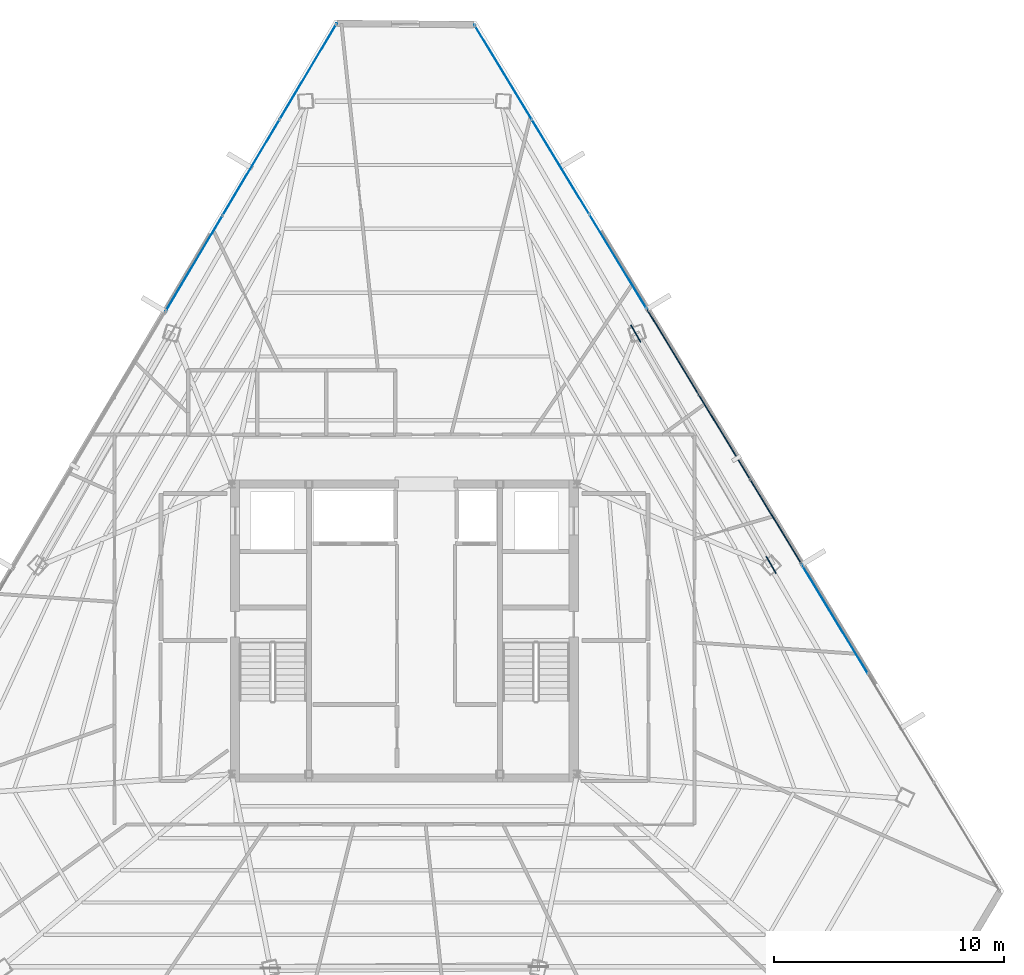
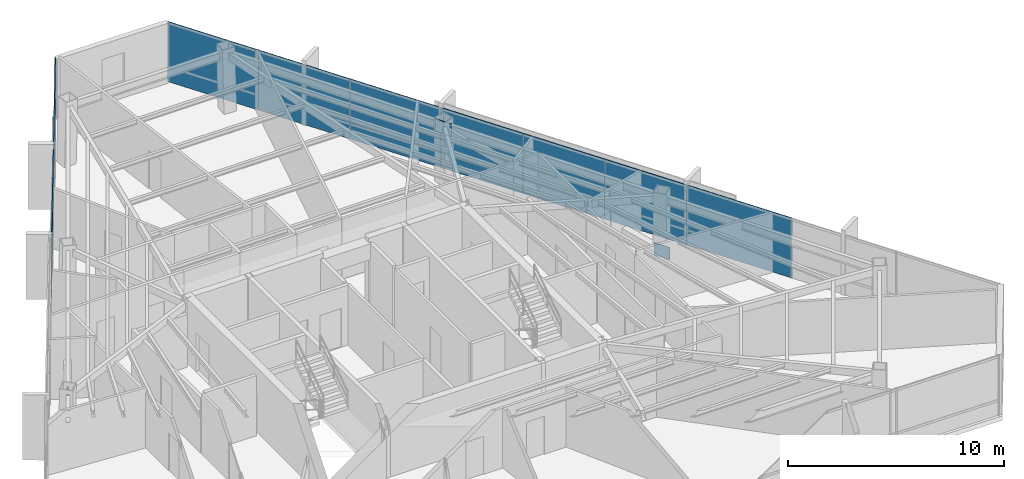
# One storey, part 39 of 46: 12 plates, 4 elements without a shape of their own.
"""IFC4 building model written with IfcOpenShell, lengths in metres."""

import ifcopenshell
import ifcopenshell.guid

model = None  # the IFC model being written
_history = None  # IfcOwnerHistory: only IFC2X3 demands one
_inside = {}  # id of a spatial element -> (the spatial element, [elements in it])
_under = {}  # id of a project, library or spatial element -> (it, [spatial elements below it])
_declared = {}  # id of a project -> (the project, [libraries it declares])
_typed = {}  # id of a type object -> (the type object, [elements of that type])
_made_of = {}  # id of a material, layer set ... -> (it, [elements and type objects made of it])


def new_model(schema):
    """Start an empty IFC model of exactly this schema.

    Asked for "IFC4X3", IfcOpenShell would pick the latest addendum, in which some entities
    have other attributes; the version numbers below select the first issue.
    IFC2X3 requires an IfcOwnerHistory on every rooted entity: one is made here for all.
    """
    global model, _history
    if schema == "IFC4X3":
        model = ifcopenshell.file(schema_version=(4, 3, 0, 0))
    else:
        model = ifcopenshell.file(schema=schema)
    _inside.clear()
    _under.clear()
    _declared.clear()
    _typed.clear()
    _made_of.clear()
    _history = None
    if model.schema == "IFC2X3":
        org = make("IfcOrganization", Name="unknown")
        user = make(
            "IfcPersonAndOrganization",
            ThePerson=make("IfcPerson", FamilyName="unknown"),
            TheOrganization=org,
        )
        app = make(
            "IfcApplication",
            ApplicationDeveloper=org,
            Version="unknown",
            ApplicationFullName="unknown",
            ApplicationIdentifier="unknown",
        )
        _history = make(
            "IfcOwnerHistory",
            OwningUser=user,
            OwningApplication=app,
            ChangeAction="ADDED",
            CreationDate=0,
        )
    return model


def make(cls, **values):
    """One entity of the class cls with the attributes given. An attribute that is None is left unset."""
    return model.create_entity(
        cls, **{name: value for name, value in values.items() if value is not None}
    )


def rooted(cls, **values):
    """An entity with a GlobalId (a new one), such as an element, a storey or a relation."""
    return make(cls, GlobalId=ifcopenshell.guid.new(), OwnerHistory=_history, **values)


def si_unit(unit_type, name, prefix=None):
    """IfcSIUnit, for example si_unit("LENGTHUNIT", "METRE", prefix="MILLI")."""
    return make("IfcSIUnit", UnitType=unit_type, Prefix=prefix, Name=name)


def assignment(units):
    """IfcUnitAssignment: the units of a project."""
    return None if units is None else make("IfcUnitAssignment", Units=units)


def point(xyz):
    """IfcCartesianPoint."""
    return None if xyz is None else make("IfcCartesianPoint", Coordinates=xyz)


def direction(xyz):
    """IfcDirection."""
    return None if xyz is None else make("IfcDirection", DirectionRatios=xyz)


def frame(location, z_axis=None, x_axis=None):
    """IfcAxis2Placement3D, a coordinate frame: its origin and axes. An axis left out is left unset."""
    return make(
        "IfcAxis2Placement3D",
        Location=point(location),
        Axis=direction(z_axis),
        RefDirection=direction(x_axis),
    )


def frame_2d(location, x_axis=None):
    """IfcAxis2Placement2D, a coordinate frame in the plane: its origin and x axis."""
    return make(
        "IfcAxis2Placement2D", Location=point(location), RefDirection=direction(x_axis)
    )


def origin():
    """The frame at (0, 0, 0) with its axes left unset."""
    return frame((0.0, 0.0, 0.0))


def origin_2d():
    """The frame at (0, 0) in the plane with its x axis left unset."""
    return frame_2d((0.0, 0.0))


def place(relative_to, where):
    """IfcLocalPlacement: puts the frame where relative to a parent placement (None: the world)."""
    return make(
        "IfcLocalPlacement", PlacementRelTo=relative_to, RelativePlacement=where
    )


def context(
    kind, dimensions, precision=None, world=None, true_north=None, identifier=None
):
    """IfcGeometricRepresentationContext, for example the 3D "Model" context."""
    return make(
        "IfcGeometricRepresentationContext",
        ContextIdentifier=identifier,
        ContextType=kind,
        CoordinateSpaceDimension=dimensions,
        Precision=precision,
        WorldCoordinateSystem=world,
        TrueNorth=true_north,
    )


def subcontext(parent, identifier, kind, view, scale=None):
    """IfcGeometricRepresentationSubContext, for example "Body" below "Model"."""
    return make(
        "IfcGeometricRepresentationSubContext",
        ContextIdentifier=identifier,
        ContextType=kind,
        ParentContext=parent,
        TargetScale=scale,
        TargetView=view,
    )


def project(units=None, contexts=None):
    """IfcProject with its units and contexts."""
    return rooted(
        "IfcProject",
        Name="project",
        RepresentationContexts=contexts,
        UnitsInContext=assignment(units),
    )


def spatial(cls, under=None, at=None, **own):
    """A site, building, storey or space (cls), placed at a placement, below another one or the project."""
    s = rooted(cls, ObjectPlacement=at, **own)
    if under is not None:
        _under.setdefault(under.id(), (under, []))[1].append(s)
    return s


def profile(cls, at=None, kind="AREA", **sizes):
    """A parametric profile (cls). Its sizes go by their IFC names, for example OverallWidth=200.0."""
    return make(cls, ProfileType=kind, Position=at, **sizes)


def rectangle(**sizes):
    """IfcRectangleProfileDef."""
    return profile("IfcRectangleProfileDef", **sizes)


def extrude(swept, where, along, depth):
    """IfcExtrudedAreaSolid: the profile swept, set in the frame where, extruded along a direction by depth."""
    return make(
        "IfcExtrudedAreaSolid",
        SweptArea=swept,
        Position=where,
        ExtrudedDirection=direction(along),
        Depth=depth,
    )


def shape(context_of_items, identifier, shape_type, items):
    """IfcShapeRepresentation: the items that make up one representation, for example the "Body"."""
    return make(
        "IfcShapeRepresentation",
        ContextOfItems=context_of_items,
        RepresentationIdentifier=identifier,
        RepresentationType=shape_type,
        Items=items,
    )


def source(mapping_origin, context_of_items, identifier, shape_type, items):
    """IfcRepresentationMap: a shape defined once, which mapped items show again and again."""
    return make(
        "IfcRepresentationMap",
        MappingOrigin=mapping_origin,
        MappedRepresentation=shape(context_of_items, identifier, shape_type, items),
    )


def transform(
    local_origin,
    x_axis=None,
    y_axis=None,
    z_axis=None,
    scale=None,
    scale2=None,
    scale3=None,
    uniform=True,
):
    """IfcCartesianTransformationOperator3D, or its non-uniform kind. x_axis, y_axis, z_axis: its Axis1, 2, 3."""
    if uniform:
        return make(
            "IfcCartesianTransformationOperator3D",
            Axis1=direction(x_axis),
            Axis2=direction(y_axis),
            LocalOrigin=point(local_origin),
            Scale=scale,
            Axis3=direction(z_axis),
        )
    return make(
        "IfcCartesianTransformationOperator3DnonUniform",
        Axis1=direction(x_axis),
        Axis2=direction(y_axis),
        LocalOrigin=point(local_origin),
        Scale=scale,
        Axis3=direction(z_axis),
        Scale2=scale2,
        Scale3=scale3,
    )


def mapped(mapping_source, mapping_target):
    """IfcMappedItem: shows the shape of a source again, moved by a transform."""
    return make(
        "IfcMappedItem", MappingSource=mapping_source, MappingTarget=mapping_target
    )


def material(Name=None, Category=None):
    """IfcMaterial."""
    return make("IfcMaterial", Name=Name, Category=Category)


def layer(
    of_material, thickness, ventilated=None, Name=None, Category=None, Priority=None
):
    """IfcMaterialLayer: one layer of a wall or slab, of a material (None: an air gap)."""
    return make(
        "IfcMaterialLayer",
        Material=of_material,
        LayerThickness=thickness,
        IsVentilated=ventilated,
        Name=Name,
        Category=Category,
        Priority=Priority,
    )


def layer_set(layers, Name=None):
    """IfcMaterialLayerSet."""
    return make("IfcMaterialLayerSet", MaterialLayers=layers, LayerSetName=Name)


def made_of(thing, what):
    """Note that an element or type object is made of a material, layer set ...; save() writes the relation."""
    if what is not None:
        _made_of.setdefault(what.id(), (what, []))[1].append(thing)
    return thing


def type_object(cls, material=None, **own):
    """A type object (cls), such as IfcWallType, which elements share."""
    return made_of(rooted(cls, **own), material)


def type_shapes(of_type, sources):
    """Give a type object the sources (RepresentationMaps) that its elements show as mapped items."""
    of_type.RepresentationMaps = sources


def element(
    cls,
    number,
    at=None,
    inside=None,
    cuts=None,
    type_object=None,
    material=None,
    context=None,
    identifier="Body",
    shape_type=None,
    held_by="IfcProductDefinitionShape",
    body=None,
    shapes=None,
    **own,
):
    """One element of the class cls, such as IfcWall. Its Tag is "e" and its number.

    at: its placement. inside: the storey or other place that contains it. cuts: it is an
    opening in that element (IfcRelVoidsElement). A single representation is given by context,
    identifier, shape_type and body (its items); several are given by shapes. held_by: the class
    of the entity that holds the representations. save() writes the other relations.
    """
    e = rooted(cls, Tag="e%d" % number, ObjectPlacement=at, **own)
    if body is not None:
        shapes = [shape(context, identifier, shape_type, body)]
    if shapes is not None:
        e.Representation = make(held_by, Representations=shapes)
    if inside is not None:
        _inside.setdefault(inside.id(), (inside, []))[1].append(e)
    if cuts is not None:
        rooted(
            "IfcRelVoidsElement", RelatingBuildingElement=cuts, RelatedOpeningElement=e
        )
    if type_object is not None:
        _typed.setdefault(type_object.id(), (type_object, []))[1].append(e)
    return made_of(e, material)


def aggregate(whole, parts):
    """IfcRelAggregates: a whole, such as a stair, and the parts it consists of."""
    return rooted("IfcRelAggregates", RelatingObject=whole, RelatedObjects=parts)


def save(model, path):
    """Write the relations noted so far, then the file.

    IfcRelAggregates (storeys below a building ...), IfcRelContainedInSpatialStructure (elements
    in a storey), IfcRelDefinesByType, IfcRelAssociatesMaterial and IfcRelDeclares: one each for
    every whole, place, type object, material and project.
    """
    for whole, parts in _under.values():
        aggregate(whole, parts)
    for where, things in _inside.values():
        rooted(
            "IfcRelContainedInSpatialStructure",
            RelatedElements=things,
            RelatingStructure=where,
        )
    for kind, things in _typed.values():
        rooted("IfcRelDefinesByType", RelatedObjects=things, RelatingType=kind)
    for what, things in _made_of.values():
        rooted("IfcRelAssociatesMaterial", RelatedObjects=things, RelatingMaterial=what)
    for by, libraries in _declared.values():
        rooted("IfcRelDeclares", RelatingContext=by, RelatedDefinitions=libraries)
    model.write(path)


model = new_model("IFC4")

# Units and contexts
model_context = context("Model", 3, precision=1e-05, world=origin(), true_north=direction((0.0, 1.0)))
body_context = subcontext(model_context, "Body", "Model", "MODEL_VIEW")
ifc_project = project(units=[si_unit("LENGTHUNIT", "METRE"), si_unit("AREAUNIT", "SQUARE_METRE"), si_unit("VOLUMEUNIT", "CUBIC_METRE"), si_unit("PLANEANGLEUNIT", "RADIAN"), si_unit("MASSUNIT", "GRAM", prefix="KILO")], contexts=[model_context])

# Site, building, storey
site_placement = place(None, origin())
site = spatial("IfcSite", under=ifc_project, at=site_placement, CompositionType="ELEMENT")
building_placement = place(site_placement, origin())
building = spatial("IfcBuilding", under=site, at=building_placement, Name="Caelisora Broadcast Tower", CompositionType="ELEMENT")
storey_placement = place(building_placement, frame((0.0, 0.0, 237.14990234375)))
storey = spatial("IfcBuildingStorey", under=building, at=storey_placement, Name="L62", CompositionType="ELEMENT", Elevation=237.14990234375)

# Plates
ifc_material_1 = material(Name="Steel Grade 350 L15 (AS/NZS 3678)", Category="steel")
ifc_layer_1 = layer(ifc_material_1, 0.0400390625, Name="Steel Grade 350 L15 (AS/NZS 3678)")
ifc_layer_set_1 = layer_set([ifc_layer_1], Name="Steel Grade 350 L15 (AS/NZS 3678)")
plate_type_1 = type_object("IfcPlateType", Name="GP04", PredefinedType="USERDEFINED", material=ifc_layer_set_1)
shared_shape_1 = source(origin(), body_context, "Body", "SweptSolid", [
    extrude(rectangle(XDim=0.85009765625, YDim=0.0400390625, at=origin_2d()), origin(), (0.0, 0.0, 1.0), 0.699951171875),
])
type_shapes(plate_type_1, [shared_shape_1])
for number, where, z_axis, x_axis, name in (
    (1, (53.942138671875, 26.486083984375, -0.22998046875), (0.0, 0.0, 1.0), (-0.5, 0.866025403784, 0.0), "L62 gusset plate GP04 (ND-L62-C10B)"),
    (2, (48.05322265625, 36.54150390625, 2.72998046875), (0.0, 0.0, 1.0), (-0.5, 0.866025403784, 0.0), "L62 gusset plate GP04 (ND-L62-C11T)"),
):
    element("IfcPlate", number, at=place(storey_placement, frame(where, z_axis=z_axis, x_axis=x_axis)), inside=storey, type_object=plate_type_1, Name=name, ObjectType="GUSSET PLATE", PredefinedType="USERDEFINED", context=body_context, shape_type="MappedRepresentation", body=[
        mapped(shared_shape_1, transform((0.0, 0.0, 0.0), scale=1.0)),
    ])

# Curtain wall, plates
ifc_material_2 = material(Name="Unitised Aluminium and Low-E Glass Curtain Wall", Category="glass")
curtain_wall_type_1 = type_object("IfcCurtainWallType", Name="CW-Z5", PredefinedType="NOTDEFINED", material=ifc_material_2)
curtain_wall_1_placement = place(storey_placement, origin())
curtain_wall_1 = element("IfcCurtainWall", 3, at=curtain_wall_1_placement, inside=storey, type_object=curtain_wall_type_1, Name="L62 curtain wall CW-Z5", PredefinedType="NOTDEFINED")
ifc_material_3 = material(Name="Double Glazed Low-E Argon IGU", Category="glass")
ifc_layer_2 = layer(ifc_material_3, 0.028076171875, Name="Double Glazed Low-E Argon IGU")
ifc_layer_set_2 = layer_set([ifc_layer_2], Name="Double Glazed Low-E Argon IGU")
plate_type_2 = type_object("IfcPlateType", Name="CWP-06", PredefinedType="CURTAIN_PANEL", material=ifc_layer_set_2)
shared_shape_2 = source(origin(), body_context, "Body", "SweptSolid", [
    extrude(rectangle(XDim=4.819091796875, YDim=0.028076171875, at=origin_2d()), origin(), (0.0, 0.0, 1.0), 3.39990234375),
])
plate_1_placement = place(storey_placement, frame((42.28759765625, 47.90966796875, 0.000244140625), z_axis=(0.0, 0.0, 1.0), x_axis=(0.51862403999, -0.855002400666, 0.0)))
plate_1 = element("IfcPlate", 4, at=plate_1_placement, type_object=plate_type_2, Name="L62-CW-B01 glazed panel #1", PredefinedType="CURTAIN_PANEL", context=body_context, shape_type="MappedRepresentation", body=[
    mapped(shared_shape_2, transform((0.0, 0.0, 0.0), scale=1.0)),
])
plate_2_placement = place(storey_placement, frame((44.78662109375, 43.7890625, 0.000244140625), z_axis=(0.0, 0.0, 1.0), x_axis=(0.51862403999, -0.855002400666, 0.0)))
plate_2 = element("IfcPlate", 5, at=plate_2_placement, type_object=plate_type_2, Name="L62-CW-B01 glazed panel #2", PredefinedType="CURTAIN_PANEL", context=body_context, shape_type="MappedRepresentation", body=[
    mapped(shared_shape_2, transform((0.0, 0.0, 0.0), scale=1.0)),
])
plate_3_placement = place(storey_placement, frame((47.285888671875, 39.66845703125, 0.000244140625), z_axis=(0.0, 0.0, 1.0), x_axis=(0.51862403999, -0.855002400666, 0.0)))
plate_3 = element("IfcPlate", 6, at=plate_3_placement, type_object=plate_type_2, Name="L62-CW-B01 glazed panel #3", PredefinedType="CURTAIN_PANEL", context=body_context, shape_type="MappedRepresentation", body=[
    mapped(shared_shape_2, transform((0.0, 0.0, 0.0), scale=1.0)),
])
aggregate(curtain_wall_1, [plate_1, plate_2, plate_3])

ifc_material_4 = material(Name="Unitised Aluminium Insulated Shadow-Box Spandrel Curtain Wall", Category="aluminium")
curtain_wall_type_2 = type_object("IfcCurtainWallType", Name="CW-SP3", PredefinedType="NOTDEFINED", material=ifc_material_4)
curtain_wall_2_placement = place(storey_placement, origin())
curtain_wall_2 = element("IfcCurtainWall", 7, at=curtain_wall_2_placement, inside=storey, type_object=curtain_wall_type_2, Name="L62 curtain wall CW-SP3", PredefinedType="NOTDEFINED")
ifc_material_5 = material(Name="Insulated Terracotta Shadow-Box Spandrel Panel", Category="aluminium")
ifc_layer_3 = layer(ifc_material_5, 0.0439453125, Name="Insulated Terracotta Shadow-Box Spandrel Panel")
ifc_layer_set_3 = layer_set([ifc_layer_3], Name="Insulated Terracotta Shadow-Box Spandrel Panel")
plate_type_3 = type_object("IfcPlateType", Name="CWP-10", PredefinedType="CURTAIN_PANEL", material=ifc_layer_set_3)
shared_shape_3 = source(origin(), body_context, "Body", "SweptSolid", [
    extrude(rectangle(XDim=4.32470703125, YDim=0.0439453125, at=origin_2d()), origin(), (0.0, 0.0, 1.0), 3.39990234375),
])
type_shapes(plate_type_3, [shared_shape_3])
plate_4_placement = place(storey_placement, frame((49.661865234375, 35.750732421875, 0.000244140625), z_axis=(0.0, 0.0, 1.0), x_axis=(0.51862403999, -0.855002400666, 0.0)))
plate_4 = element("IfcPlate", 8, at=plate_4_placement, type_object=plate_type_3, Name="L62-CW-B02 spandrel panel #1", PredefinedType="CURTAIN_PANEL", context=body_context, shape_type="MappedRepresentation", body=[
    mapped(shared_shape_3, transform((0.0, 0.0, 0.0), scale=1.0)),
])
plate_5_placement = place(storey_placement, frame((51.904541015625, 32.05322265625, 0.000244140625), z_axis=(0.0, 0.0, 1.0), x_axis=(0.51862403999, -0.855002400666, 0.0)))
plate_5 = element("IfcPlate", 9, at=plate_5_placement, type_object=plate_type_3, Name="L62-CW-B02 spandrel panel #2", PredefinedType="CURTAIN_PANEL", context=body_context, shape_type="MappedRepresentation", body=[
    mapped(shared_shape_3, transform((0.0, 0.0, 0.0), scale=1.0)),
])
plate_6_placement = place(storey_placement, frame((54.147216796875, 28.355712890625, 0.000244140625), z_axis=(0.0, 0.0, 1.0), x_axis=(0.51862403999, -0.855002400666, 0.0)))
plate_6 = element("IfcPlate", 10, at=plate_6_placement, type_object=plate_type_3, Name="L62-CW-B02 spandrel panel #3", PredefinedType="CURTAIN_PANEL", context=body_context, shape_type="MappedRepresentation", body=[
    mapped(shared_shape_3, transform((0.0, 0.0, 0.0), scale=1.0)),
])
aggregate(curtain_wall_2, [plate_4, plate_5, plate_6])

# Curtain wall, plate
curtain_wall_3_placement = place(storey_placement, origin())
curtain_wall_3 = element("IfcCurtainWall", 11, at=curtain_wall_3_placement, inside=storey, type_object=curtain_wall_type_1, Name="L62 curtain wall CW-Z5", PredefinedType="NOTDEFINED")
shared_shape_4 = source(origin(), body_context, "Body", "SweptSolid", [
    extrude(rectangle(XDim=5.535888671875, YDim=0.028076171875, at=origin_2d()), origin(), (0.0, 0.0, 1.0), 3.39990234375),
])
plate_7_placement = place(storey_placement, frame((56.708984375, 24.131591796875, 0.000244140625), z_axis=(0.0, 0.0, 1.0), x_axis=(0.51862403999, -0.855002400666, 0.0)))
plate_7 = element("IfcPlate", 12, at=plate_7_placement, type_object=plate_type_2, Name="L62-CW-B03 glazed panel #1", PredefinedType="CURTAIN_PANEL", context=body_context, shape_type="MappedRepresentation", body=[
    mapped(shared_shape_4, transform((0.0, 0.0, 0.0), scale=1.0)),
])
aggregate(curtain_wall_3, [plate_7])

# Curtain wall, plates
curtain_wall_4_placement = place(storey_placement, origin())
curtain_wall_4 = element("IfcCurtainWall", 13, at=curtain_wall_4_placement, inside=storey, type_object=curtain_wall_type_1, Name="L62 curtain wall CW-Z5", PredefinedType="NOTDEFINED")
shared_shape_5 = source(origin(), body_context, "Body", "SweptSolid", [
    extrude(rectangle(XDim=4.853271484375, YDim=0.028076171875, at=origin_2d()), origin(), (0.0, 0.0, 1.0), 3.39990234375),
])
type_shapes(plate_type_2, [shared_shape_2, shared_shape_4, shared_shape_5])
plate_8_placement = place(storey_placement, frame((28.85888671875, 39.59326171875, 0.000244140625), z_axis=(0.0, 0.0, 1.0), x_axis=(0.510993065504, 0.859584834096, 0.0)))
plate_8 = element("IfcPlate", 14, at=plate_8_placement, type_object=plate_type_2, Name="L62-CW-B11 glazed panel #1", PredefinedType="CURTAIN_PANEL", context=body_context, shape_type="MappedRepresentation", body=[
    mapped(shared_shape_5, transform((0.0, 0.0, 0.0), scale=1.0)),
])
plate_9_placement = place(storey_placement, frame((31.33837890625, 43.76513671875, 0.000244140625), z_axis=(0.0, 0.0, 1.0), x_axis=(0.510993065504, 0.859584834096, 0.0)))
plate_9 = element("IfcPlate", 15, at=plate_9_placement, type_object=plate_type_2, Name="L62-CW-B11 glazed panel #2", PredefinedType="CURTAIN_PANEL", context=body_context, shape_type="MappedRepresentation", body=[
    mapped(shared_shape_5, transform((0.0, 0.0, 0.0), scale=1.0)),
])
plate_10_placement = place(storey_placement, frame((33.818115234375, 47.93701171875, 0.000244140625), z_axis=(0.0, 0.0, 1.0), x_axis=(0.510993065504, 0.859584834096, 0.0)))
plate_10 = element("IfcPlate", 16, at=plate_10_placement, type_object=plate_type_2, Name="L62-CW-B11 glazed panel #3", PredefinedType="CURTAIN_PANEL", context=body_context, shape_type="MappedRepresentation", body=[
    mapped(shared_shape_5, transform((0.0, 0.0, 0.0), scale=1.0)),
])
aggregate(curtain_wall_4, [plate_8, plate_9, plate_10])

save(model, "model.ifc")
